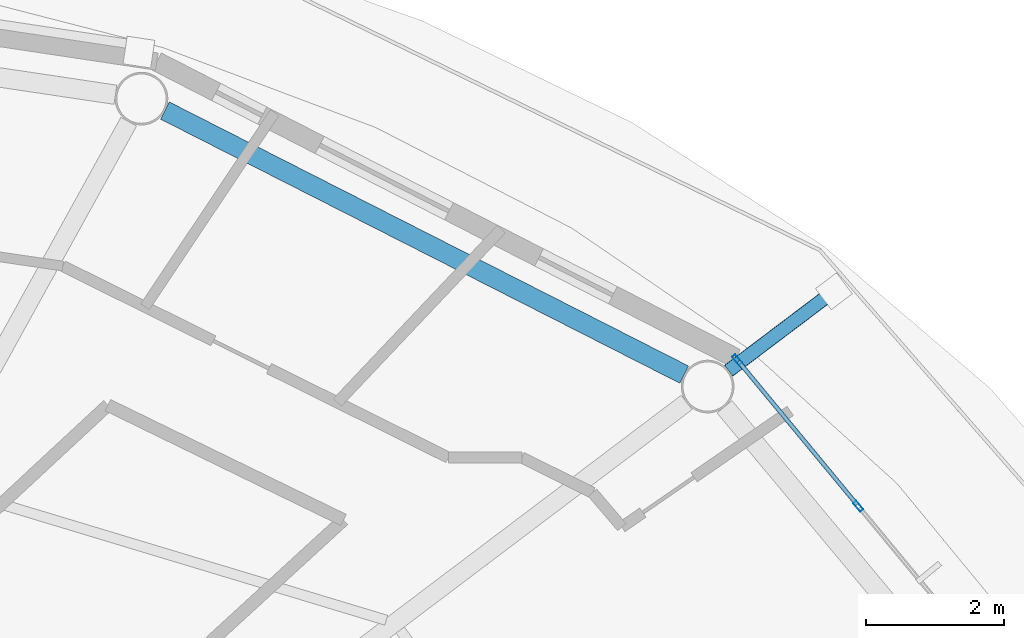
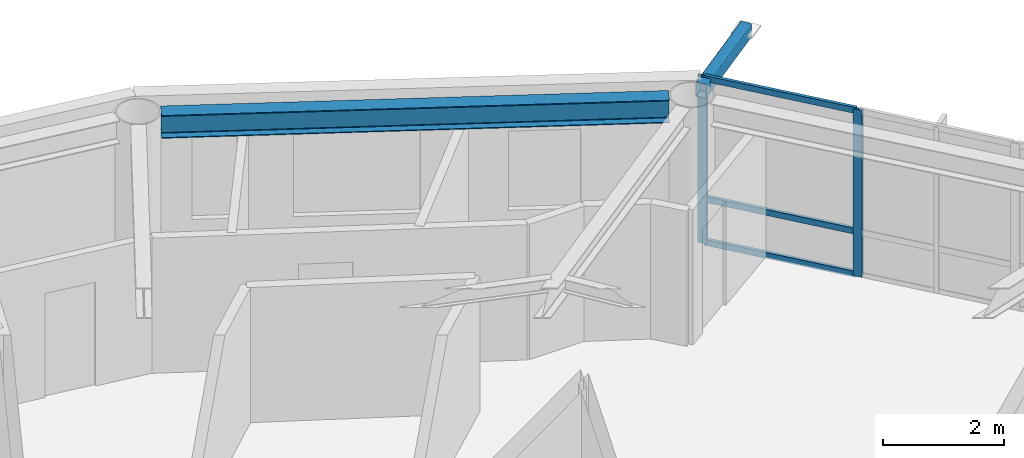
# One storey, part 11 of 23: 6 members, 1 beam, 1 element without a shape of its own.
"""IFC4 building model written with IfcOpenShell, lengths in metres."""

import ifcopenshell
import ifcopenshell.guid

model = None  # the IFC model being written
_history = None  # IfcOwnerHistory: only IFC2X3 demands one
_inside = {}  # id of a spatial element -> (the spatial element, [elements in it])
_under = {}  # id of a project, library or spatial element -> (it, [spatial elements below it])
_declared = {}  # id of a project -> (the project, [libraries it declares])
_typed = {}  # id of a type object -> (the type object, [elements of that type])
_made_of = {}  # id of a material, layer set ... -> (it, [elements and type objects made of it])


def new_model(schema):
    """Start an empty IFC model of exactly this schema.

    Asked for "IFC4X3", IfcOpenShell would pick the latest addendum, in which some entities
    have other attributes; the version numbers below select the first issue.
    IFC2X3 requires an IfcOwnerHistory on every rooted entity: one is made here for all.
    """
    global model, _history
    if schema == "IFC4X3":
        model = ifcopenshell.file(schema_version=(4, 3, 0, 0))
    else:
        model = ifcopenshell.file(schema=schema)
    _inside.clear()
    _under.clear()
    _declared.clear()
    _typed.clear()
    _made_of.clear()
    _history = None
    if model.schema == "IFC2X3":
        org = make("IfcOrganization", Name="unknown")
        user = make(
            "IfcPersonAndOrganization",
            ThePerson=make("IfcPerson", FamilyName="unknown"),
            TheOrganization=org,
        )
        app = make(
            "IfcApplication",
            ApplicationDeveloper=org,
            Version="unknown",
            ApplicationFullName="unknown",
            ApplicationIdentifier="unknown",
        )
        _history = make(
            "IfcOwnerHistory",
            OwningUser=user,
            OwningApplication=app,
            ChangeAction="ADDED",
            CreationDate=0,
        )
    return model


def make(cls, **values):
    """One entity of the class cls with the attributes given. An attribute that is None is left unset."""
    return model.create_entity(
        cls, **{name: value for name, value in values.items() if value is not None}
    )


def rooted(cls, **values):
    """An entity with a GlobalId (a new one), such as an element, a storey or a relation."""
    return make(cls, GlobalId=ifcopenshell.guid.new(), OwnerHistory=_history, **values)


def si_unit(unit_type, name, prefix=None):
    """IfcSIUnit, for example si_unit("LENGTHUNIT", "METRE", prefix="MILLI")."""
    return make("IfcSIUnit", UnitType=unit_type, Prefix=prefix, Name=name)


def assignment(units):
    """IfcUnitAssignment: the units of a project."""
    return None if units is None else make("IfcUnitAssignment", Units=units)


def point(xyz):
    """IfcCartesianPoint."""
    return None if xyz is None else make("IfcCartesianPoint", Coordinates=xyz)


def direction(xyz):
    """IfcDirection."""
    return None if xyz is None else make("IfcDirection", DirectionRatios=xyz)


def frame(location, z_axis=None, x_axis=None):
    """IfcAxis2Placement3D, a coordinate frame: its origin and axes. An axis left out is left unset."""
    return make(
        "IfcAxis2Placement3D",
        Location=point(location),
        Axis=direction(z_axis),
        RefDirection=direction(x_axis),
    )


def frame_2d(location, x_axis=None):
    """IfcAxis2Placement2D, a coordinate frame in the plane: its origin and x axis."""
    return make(
        "IfcAxis2Placement2D", Location=point(location), RefDirection=direction(x_axis)
    )


def origin():
    """The frame at (0, 0, 0) with its axes left unset."""
    return frame((0.0, 0.0, 0.0))


def origin_2d():
    """The frame at (0, 0) in the plane with its x axis left unset."""
    return frame_2d((0.0, 0.0))


def place(relative_to, where):
    """IfcLocalPlacement: puts the frame where relative to a parent placement (None: the world)."""
    return make(
        "IfcLocalPlacement", PlacementRelTo=relative_to, RelativePlacement=where
    )


def context(
    kind, dimensions, precision=None, world=None, true_north=None, identifier=None
):
    """IfcGeometricRepresentationContext, for example the 3D "Model" context."""
    return make(
        "IfcGeometricRepresentationContext",
        ContextIdentifier=identifier,
        ContextType=kind,
        CoordinateSpaceDimension=dimensions,
        Precision=precision,
        WorldCoordinateSystem=world,
        TrueNorth=true_north,
    )


def subcontext(parent, identifier, kind, view, scale=None):
    """IfcGeometricRepresentationSubContext, for example "Body" below "Model"."""
    return make(
        "IfcGeometricRepresentationSubContext",
        ContextIdentifier=identifier,
        ContextType=kind,
        ParentContext=parent,
        TargetScale=scale,
        TargetView=view,
    )


def project(units=None, contexts=None):
    """IfcProject with its units and contexts."""
    return rooted(
        "IfcProject",
        Name="project",
        RepresentationContexts=contexts,
        UnitsInContext=assignment(units),
    )


def spatial(cls, under=None, at=None, **own):
    """A site, building, storey or space (cls), placed at a placement, below another one or the project."""
    s = rooted(cls, ObjectPlacement=at, **own)
    if under is not None:
        _under.setdefault(under.id(), (under, []))[1].append(s)
    return s


def profile(cls, at=None, kind="AREA", **sizes):
    """A parametric profile (cls). Its sizes go by their IFC names, for example OverallWidth=200.0."""
    return make(cls, ProfileType=kind, Position=at, **sizes)


def hollow_rectangle(**sizes):
    """IfcRectangleHollowProfileDef."""
    return profile("IfcRectangleHollowProfileDef", **sizes)


def i_section(**sizes):
    """IfcIShapeProfileDef."""
    return profile("IfcIShapeProfileDef", **sizes)


def extrude(swept, where, along, depth):
    """IfcExtrudedAreaSolid: the profile swept, set in the frame where, extruded along a direction by depth."""
    return make(
        "IfcExtrudedAreaSolid",
        SweptArea=swept,
        Position=where,
        ExtrudedDirection=direction(along),
        Depth=depth,
    )


def shape(context_of_items, identifier, shape_type, items):
    """IfcShapeRepresentation: the items that make up one representation, for example the "Body"."""
    return make(
        "IfcShapeRepresentation",
        ContextOfItems=context_of_items,
        RepresentationIdentifier=identifier,
        RepresentationType=shape_type,
        Items=items,
    )


def material(Name=None, Category=None):
    """IfcMaterial."""
    return make("IfcMaterial", Name=Name, Category=Category)


def layer(
    of_material, thickness, ventilated=None, Name=None, Category=None, Priority=None
):
    """IfcMaterialLayer: one layer of a wall or slab, of a material (None: an air gap)."""
    return make(
        "IfcMaterialLayer",
        Material=of_material,
        LayerThickness=thickness,
        IsVentilated=ventilated,
        Name=Name,
        Category=Category,
        Priority=Priority,
    )


def layer_set(layers, Name=None):
    """IfcMaterialLayerSet."""
    return make("IfcMaterialLayerSet", MaterialLayers=layers, LayerSetName=Name)


def material_profile(
    of_material, cross_section, Name=None, Category=None, Priority=None
):
    """IfcMaterialProfile: a cross section and its material."""
    return make(
        "IfcMaterialProfile",
        Name=Name,
        Material=of_material,
        Profile=cross_section,
        Priority=Priority,
        Category=Category,
    )


def profile_set(profiles, Name=None, composite=None):
    """IfcMaterialProfileSet."""
    return make(
        "IfcMaterialProfileSet",
        Name=Name,
        MaterialProfiles=profiles,
        CompositeProfile=composite,
    )


def made_of(thing, what):
    """Note that an element or type object is made of a material, layer set ...; save() writes the relation."""
    if what is not None:
        _made_of.setdefault(what.id(), (what, []))[1].append(thing)
    return thing


def type_object(cls, material=None, **own):
    """A type object (cls), such as IfcWallType, which elements share."""
    return made_of(rooted(cls, **own), material)


def element(
    cls,
    number,
    at=None,
    inside=None,
    cuts=None,
    type_object=None,
    material=None,
    context=None,
    identifier="Body",
    shape_type=None,
    held_by="IfcProductDefinitionShape",
    body=None,
    shapes=None,
    **own,
):
    """One element of the class cls, such as IfcWall. Its Tag is "e" and its number.

    at: its placement. inside: the storey or other place that contains it. cuts: it is an
    opening in that element (IfcRelVoidsElement). A single representation is given by context,
    identifier, shape_type and body (its items); several are given by shapes. held_by: the class
    of the entity that holds the representations. save() writes the other relations.
    """
    e = rooted(cls, Tag="e%d" % number, ObjectPlacement=at, **own)
    if body is not None:
        shapes = [shape(context, identifier, shape_type, body)]
    if shapes is not None:
        e.Representation = make(held_by, Representations=shapes)
    if inside is not None:
        _inside.setdefault(inside.id(), (inside, []))[1].append(e)
    if cuts is not None:
        rooted(
            "IfcRelVoidsElement", RelatingBuildingElement=cuts, RelatedOpeningElement=e
        )
    if type_object is not None:
        _typed.setdefault(type_object.id(), (type_object, []))[1].append(e)
    return made_of(e, material)


def aggregate(whole, parts):
    """IfcRelAggregates: a whole, such as a stair, and the parts it consists of."""
    return rooted("IfcRelAggregates", RelatingObject=whole, RelatedObjects=parts)


def save(model, path):
    """Write the relations noted so far, then the file.

    IfcRelAggregates (storeys below a building ...), IfcRelContainedInSpatialStructure (elements
    in a storey), IfcRelDefinesByType, IfcRelAssociatesMaterial and IfcRelDeclares: one each for
    every whole, place, type object, material and project.
    """
    for whole, parts in _under.values():
        aggregate(whole, parts)
    for where, things in _inside.values():
        rooted(
            "IfcRelContainedInSpatialStructure",
            RelatedElements=things,
            RelatingStructure=where,
        )
    for kind, things in _typed.values():
        rooted("IfcRelDefinesByType", RelatedObjects=things, RelatingType=kind)
    for what, things in _made_of.values():
        rooted("IfcRelAssociatesMaterial", RelatedObjects=things, RelatingMaterial=what)
    for by, libraries in _declared.values():
        rooted("IfcRelDeclares", RelatingContext=by, RelatedDefinitions=libraries)
    model.write(path)


model = new_model("IFC4")

# Units and contexts
model_context = context("Model", 3, precision=1e-05, world=origin(), true_north=direction((0.0, 1.0)))
body_context = subcontext(model_context, "Body", "Model", "MODEL_VIEW")
ifc_project = project(units=[si_unit("LENGTHUNIT", "METRE"), si_unit("AREAUNIT", "SQUARE_METRE"), si_unit("VOLUMEUNIT", "CUBIC_METRE"), si_unit("PLANEANGLEUNIT", "RADIAN"), si_unit("MASSUNIT", "GRAM", prefix="KILO")], contexts=[model_context])

# Site, building, storey
site_placement = place(None, origin())
site = spatial("IfcSite", under=ifc_project, at=site_placement, CompositionType="ELEMENT")
building_placement = place(site_placement, origin())
building = spatial("IfcBuilding", under=site, at=building_placement, Name="Sarneth Arch Tower", CompositionType="ELEMENT")
storey_placement = place(building_placement, frame((0.0, 0.0, 265.800048828125)))
storey = spatial("IfcBuildingStorey", under=building, at=storey_placement, Name="L68", CompositionType="ELEMENT", Elevation=265.800048828125)

# Beam
ifc_material_1 = material(Name="Steel S355", Category="steel")
ifc_material_profile_1 = material_profile(ifc_material_1, i_section(OverallWidth=0.280029296875, OverallDepth=0.462890625, WebThickness=0.0107421875, FlangeThickness=0.017333984375, FilletRadius=0.01806640625, at=origin_2d()), Name="W460x113")
ifc_profile_set_1 = profile_set([ifc_material_profile_1], Name="Steel S355")
beam_type = type_object("IfcBeamType", Name="BM-RAD-460A", PredefinedType="BEAM", material=ifc_profile_set_1)
beam_placement = place(storey_placement, frame((65.635498046875, 55.749267578125, 3.138427734375), z_axis=(-0.891373613492, 0.453269325204, 0.0), x_axis=(-0.453269325204, -0.891373613492, 0.0)))
element("IfcBeam", 1, at=beam_placement, inside=storey, type_object=beam_type, Name="L68 Perimeter spandrel beam 03", PredefinedType="BEAM", context=body_context, shape_type="SweptSolid", body=[
    extrude(i_section(OverallWidth=0.280029296875, OverallDepth=0.462890625, WebThickness=0.0107421875, FlangeThickness=0.017333984375, FilletRadius=0.01806640625, at=origin_2d()), origin(), (0.0, 0.0, 1.0), 8.419677734375),
])

# Curtain wall, members
ifc_material_2 = material(Name="Anodised aluminium Type AA25 and solar-control low-e laminated IGU", Category="aluminium")
ifc_layer = layer(ifc_material_2, 0.179931640625)
ifc_layer_set = layer_set([ifc_layer], Name="Anodised aluminium Type AA25 and solar-control low-e laminated IGU")
curtain_wall_type = type_object("IfcCurtainWallType", Name="CW-RES-HIGH", PredefinedType="NOTDEFINED", material=ifc_layer_set)
curtain_wall_placement = place(storey_placement, origin())
curtain_wall = element("IfcCurtainWall", 2, at=curtain_wall_placement, inside=storey, type_object=curtain_wall_type, Name="L68 Unitised curtain wall facet 02", PredefinedType="NOTDEFINED")
ifc_material_3 = material(Name="Anodised Aluminium 6063-T6", Category="aluminium")
ifc_material_profile_2 = material_profile(ifc_material_3, hollow_rectangle(XDim=0.06005859375, YDim=0.159912109375, WallThickness=0.00390625, at=origin_2d()), Name="AL-MULL-160x60x4")
ifc_profile_set_2 = profile_set([ifc_material_profile_2], Name="Anodised Aluminium 6063-T6")
member_type_1 = type_object("IfcMemberType", Name="CW-MULLION", PredefinedType="MULLION", material=ifc_profile_set_2)
member_1_placement = place(storey_placement, frame((68.15283203125, 53.84765625, 0.0), z_axis=(0.0, 0.0, 1.0), x_axis=(-0.770359245933, -0.637610094184, 0.0)))
member_1 = element("IfcMember", 3, at=member_1_placement, type_object=member_type_1, Name="CW-SYS-6 mullion 3", PredefinedType="MULLION", context=body_context, shape_type="SweptSolid", body=[
    extrude(hollow_rectangle(XDim=0.06005859375, YDim=0.159912109375, WallThickness=0.00390625, at=origin_2d()), origin(), (0.0, 0.0, 1.0), 3.369873046875),
])
member_2_placement = place(storey_placement, frame((66.401611328125, 55.96337890625, 0.0), z_axis=(0.0, 0.0, 1.0), x_axis=(-0.770359245933, -0.637610094184, 0.0)))
member_2 = element("IfcMember", 4, at=member_2_placement, type_object=member_type_1, Name="CW-SYS-6 mullion 4", PredefinedType="MULLION", context=body_context, shape_type="SweptSolid", body=[
    extrude(hollow_rectangle(XDim=0.06005859375, YDim=0.159912109375, WallThickness=0.00390625, at=origin_2d()), origin(), (0.0, 0.0, 1.0), 3.369873046875),
])
ifc_material_4 = material(Name="Anodised Aluminium 6063-T6", Category="aluminium")
ifc_material_profile_3 = material_profile(ifc_material_4, hollow_rectangle(XDim=0.06005859375, YDim=0.1201171875, WallThickness=0.00390625, at=origin_2d()), Name="AL-TRAN-120x60x4")
ifc_profile_set_3 = profile_set([ifc_material_profile_3], Name="Anodised Aluminium 6063-T6")
member_type_2 = type_object("IfcMemberType", Name="CW-TRANSOM", PredefinedType="USERDEFINED", material=ifc_profile_set_3)
member_3_placement = place(storey_placement, frame((68.1337890625, 53.87060546875, 0.030029296875), z_axis=(-0.637606765719, 0.770362000821, 0.0), x_axis=(-0.770362000821, -0.637606765719, 0.0)))
member_3 = element("IfcMember", 5, at=member_3_placement, type_object=member_type_2, Name="CW-SYS-6 transom 3.1", ObjectType="TRANSOM", PredefinedType="USERDEFINED", context=body_context, shape_type="SweptSolid", body=[
    extrude(hollow_rectangle(XDim=0.06005859375, YDim=0.1201171875, WallThickness=0.00390625, at=origin_2d()), origin(), (0.0, 0.0, 1.0), 2.686767578125),
])
member_4_placement = place(storey_placement, frame((68.1337890625, 53.87060546875, 0.89990234375), z_axis=(-0.637606765719, 0.770362000821, 0.0), x_axis=(-0.770362000821, -0.637606765719, 0.0)))
member_4 = element("IfcMember", 6, at=member_4_placement, type_object=member_type_2, Name="CW-SYS-6 transom 3.2", ObjectType="TRANSOM", PredefinedType="USERDEFINED", context=body_context, shape_type="SweptSolid", body=[
    extrude(hollow_rectangle(XDim=0.06005859375, YDim=0.1201171875, WallThickness=0.00390625, at=origin_2d()), origin(), (0.0, 0.0, 1.0), 2.686767578125),
])
member_5_placement = place(storey_placement, frame((68.1337890625, 53.87060546875, 3.33984375), z_axis=(-0.637606765719, 0.770362000821, 0.0), x_axis=(-0.770362000821, -0.637606765719, 0.0)))
member_5 = element("IfcMember", 7, at=member_5_placement, type_object=member_type_2, Name="CW-SYS-6 transom 3.3", ObjectType="TRANSOM", PredefinedType="USERDEFINED", context=body_context, shape_type="SweptSolid", body=[
    extrude(hollow_rectangle(XDim=0.06005859375, YDim=0.1201171875, WallThickness=0.00390625, at=origin_2d()), origin(), (0.0, 0.0, 1.0), 2.686767578125),
])
aggregate(curtain_wall, [member_1, member_2, member_3, member_4, member_5])

# Member
ifc_material_5 = material(Name="Steel S355", Category="steel")
ifc_material_profile_4 = material_profile(ifc_material_5, hollow_rectangle(XDim=0.199951171875, YDim=0.300048828125, WallThickness=0.012451171875, InnerFilletRadius=0.018798828125, OuterFilletRadius=0.03125, at=origin_2d()), Name="RHS300x200x12.5")
ifc_profile_set_4 = profile_set([ifc_material_profile_4], Name="Steel S355")
member_type_3 = type_object("IfcMemberType", Name="MEM-CANT-STRUT", PredefinedType="STRUT", material=ifc_profile_set_4)
member_6_placement = place(storey_placement, frame((66.279296875, 55.80615234375, 3.2099609375), z_axis=(0.79801244926, 0.602640963448, 0.0), x_axis=(-0.602640963448, 0.79801244926, 0.0)))
element("IfcMember", 8, at=member_6_placement, inside=storey, type_object=member_type_3, Name="L68 Balcony cantilever bracket 03", PredefinedType="STRUT", context=body_context, shape_type="SweptSolid", body=[
    extrude(hollow_rectangle(XDim=0.199951171875, YDim=0.300048828125, WallThickness=0.012451171875, InnerFilletRadius=0.018798828125, OuterFilletRadius=0.03125, at=origin_2d()), origin(), (0.0, 0.0, 1.0), 1.90576171875),
])

save(model, "model.ifc")
